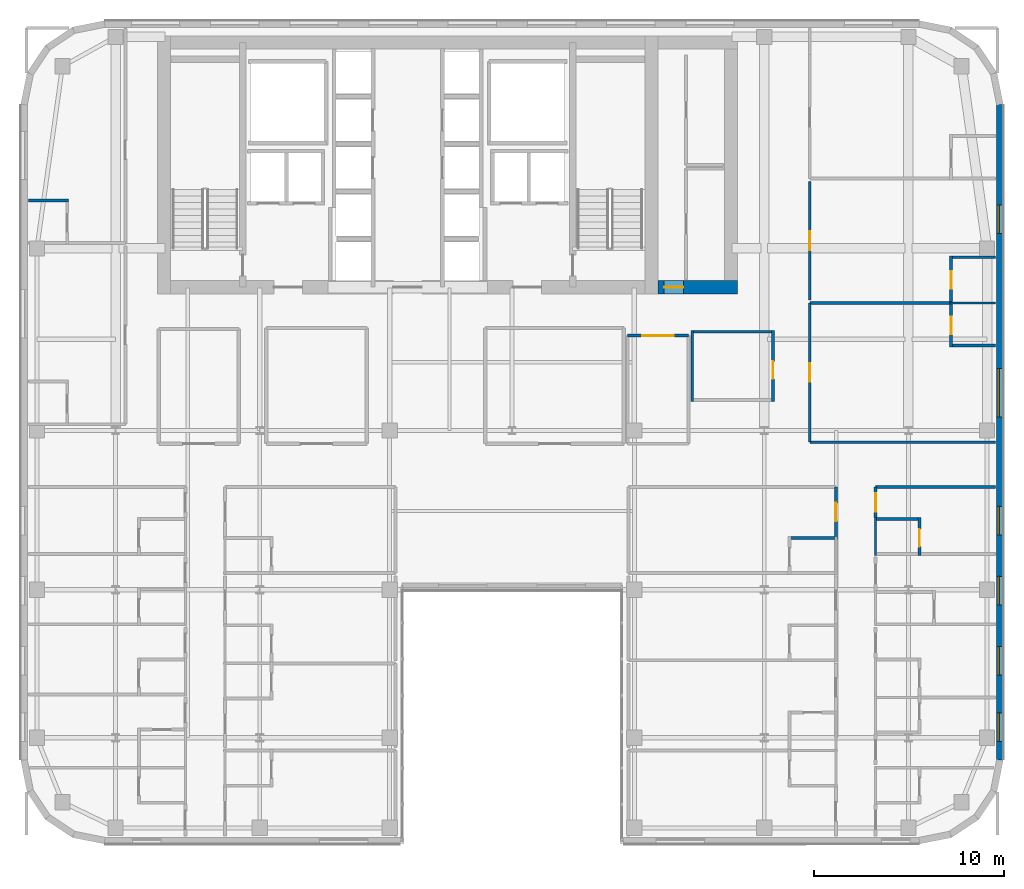
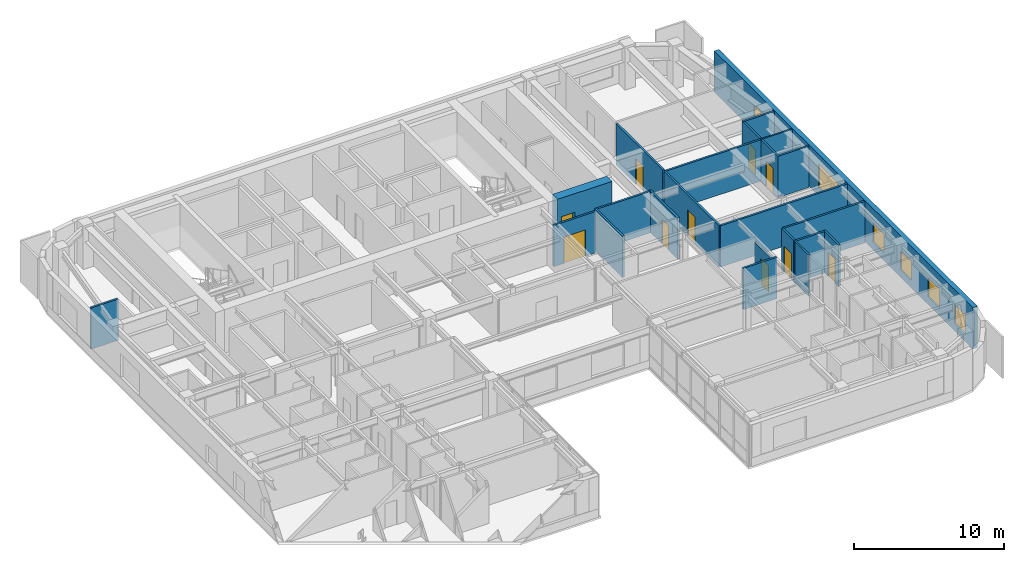
# One storey, part 13 of 21: 23 walls, 10 doors, 6 windows, 16 openings.
"""IFC4 building model written with IfcOpenShell, lengths in metres."""

from ifc_helpers import new_model, si_unit, direction, frame, frame_2d, origin, place, context, subcontext, project, spatial, rectangle, extrude, source, transform, mapped, material, layer, layer_set, type_object, type_shapes, element, fill, save


model = new_model("IFC4")

# Units and contexts
model_context = context("Model", 3, precision=1e-05, world=origin(), true_north=direction((0.0, 1.0)))
body_context = subcontext(model_context, "Body", "Model", "MODEL_VIEW")
ifc_project = project(units=[si_unit("LENGTHUNIT", "METRE"), si_unit("AREAUNIT", "SQUARE_METRE"), si_unit("VOLUMEUNIT", "CUBIC_METRE"), si_unit("PLANEANGLEUNIT", "RADIAN"), si_unit("MASSUNIT", "GRAM", prefix="KILO")], contexts=[model_context])

# Site, building, storey
site_placement = place(None, origin())
site = spatial("IfcSite", under=ifc_project, at=site_placement, CompositionType="ELEMENT")
building_placement = place(site_placement, origin())
building = spatial("IfcBuilding", under=site, at=building_placement, Name="Tolvann Quenvar Hotel", CompositionType="ELEMENT")
storey_placement = place(building_placement, frame((0.0, 0.0, 161.25)))
storey = spatial("IfcBuildingStorey", under=building, at=storey_placement, Name="L42", CompositionType="ELEMENT", Elevation=161.25)

# Wall, opening, door
ifc_material_1 = material(Name="Concrete S65 (65 MPa)", Category="concrete")
ifc_layer_1 = layer(ifc_material_1, 0.699951171875)
ifc_layer_set_1 = layer_set([ifc_layer_1], Name="Concrete S65 (65 MPa)")
wall_type_1 = type_object("IfcWallType", Name="WALL_CORE_700", PredefinedType="SHEAR", material=ifc_layer_set_1)
wall_1_placement = place(storey_placement, frame((36.199951171875, 31.949951171875, 0.0), z_axis=(0.0, 0.0, 1.0), x_axis=(1.0, 0.0, 0.0)))
wall_1 = element("IfcWall", 1, at=wall_1_placement, inside=storey, type_object=wall_type_1, Name="Core East Annex Shear Wall ANN-S (L42)", PredefinedType="SHEAR", context=body_context, shape_type="SweptSolid", body=[
    extrude(rectangle(XDim=4.199951171875, YDim=0.699951171875, at=frame_2d((2.10009765625, 0.0))), origin(), (0.0, 0.0, 1.0), 3.550048828125),
])
opening_1_placement = place(wall_1_placement, frame((1.340087890625, 0.0, 0.0), z_axis=(0.0, 0.0, 1.0), x_axis=(-1.0, 0.0, 0.0)))
opening_1 = element("IfcOpeningElement", 2, at=opening_1_placement, cuts=wall_1, Name="Opening HD-01", PredefinedType="OPENING", context=body_context, shape_type="SweptSolid", body=[
    extrude(rectangle(XDim=1.02001953125, YDim=2.030029296875, at=frame_2d((0.510009765625, 1.01513671875))), frame((0.0, 0.35986328125, 0.0), z_axis=(0.0, -1.0, 0.0), x_axis=(1.0, 0.0, 0.0)), (0.0, 0.0, 1.0), 0.719970703125),
])
ifc_material_2 = material(Name="Pressed galvanised steel fire-rated door set", Category="steel")
door_type_1 = type_object("IfcDoorType", Name="DOOR_BOH_1020", OperationType="NOTDEFINED", PredefinedType="DOOR", material=ifc_material_2)
shared_shape_1 = source(origin(), body_context, "Body", "SweptSolid", [
    extrude(rectangle(XDim=1.02001953125, YDim=2.030029296875, at=frame_2d((0.510009765625, 1.01513671875))), frame((0.0, 0.02490234375, 0.0), z_axis=(0.0, -1.0, 0.0), x_axis=(1.0, 0.0, 0.0)), (0.0, 0.0, 1.0), 0.050048828125),
])
type_shapes(door_type_1, [shared_shape_1])
door_1_placement = place(opening_1_placement, origin())
door_1 = element("IfcDoor", 3, at=door_1_placement, inside=storey, type_object=door_type_1, Name="Housekeeping Annex Fire Door (L42)", OperationType="SINGLE_SWING_RIGHT", OverallHeight=2.030029296875, OverallWidth=1.02001953125, PredefinedType="DOOR", context=body_context, shape_type="MappedRepresentation", body=[
    mapped(shared_shape_1, transform((0.0, 0.0, 0.0), x_axis=(1.0, 0.0, 0.0), y_axis=(0.0, 1.0, 0.0), z_axis=(0.0, 0.0, 1.0), scale=1.0)),
])
fill(opening_1, door_1)

# Wall, openings, windows
ifc_material_3 = material(Name="Kiln-fired red and buff architectural clay brickwork and terracotta masonry", Category="masonry")
ifc_layer_2 = layer(ifc_material_3, 0.35009765625)
ifc_layer_set_2 = layer_set([ifc_layer_2], Name="Kiln-fired red and buff architectural clay brickwork and terracotta masonry")
wall_type_2 = type_object("IfcWallType", Name="WALL_EXT_BRICK_350", PredefinedType="SOLIDWALL", material=ifc_layer_set_2)
wall_2_placement = place(storey_placement, frame((54.22509765625, 7.01708984375, 0.0), z_axis=(0.0, 0.0, 1.0), x_axis=(0.0, 1.0, 0.0)))
wall_2 = element("IfcWall", 4, at=wall_2_placement, inside=storey, type_object=wall_type_2, Name="Exterior Chicago Brick Wall L42-E13", PredefinedType="SOLIDWALL", context=body_context, shape_type="SweptSolid", body=[
    extrude(rectangle(XDim=34.565673828125, YDim=0.35009765625, at=frame_2d((17.28271484375, 0.0))), origin(), (0.0, 0.0, 1.0), 3.3701171875),
])
opening_2_placement = place(wall_2_placement, frame((18.093017578125, 0.0, 0.679931640625)))
opening_2 = element("IfcOpeningElement", 5, at=opening_2_placement, cuts=wall_2, Name="Opening W-09", PredefinedType="OPENING", context=body_context, shape_type="SweptSolid", body=[
    extrude(rectangle(XDim=2.550048828125, YDim=1.919921875, at=frame_2d((1.27490234375, 0.9599609375))), frame((0.0, 0.18505859375, 0.0), z_axis=(0.0, -1.0, 0.0), x_axis=(1.0, 0.0, 0.0)), (0.0, 0.0, 1.0), 0.3701171875),
])
opening_3_placement = place(wall_2_placement, frame((0.986083984375, 0.0, 0.6201171875)))
opening_3 = element("IfcOpeningElement", 6, at=opening_3_placement, cuts=wall_2, Name="Opening W-08", PredefinedType="OPENING", context=body_context, shape_type="SweptSolid", body=[
    extrude(rectangle(XDim=1.5, YDim=1.550048828125, at=frame_2d((0.75, 0.77490234375))), frame((0.0, 0.18505859375, 0.0), z_axis=(0.0, -1.0, 0.0), x_axis=(1.0, 0.0, 0.0)), (0.0, 0.0, 1.0), 0.3701171875),
])
opening_4_placement = place(wall_2_placement, frame((4.48291015625, 0.0, 0.6201171875)))
opening_4 = element("IfcOpeningElement", 7, at=opening_4_placement, cuts=wall_2, Name="Opening W-08", PredefinedType="OPENING", context=body_context, shape_type="SweptSolid", body=[
    extrude(rectangle(XDim=1.5, YDim=1.550048828125, at=frame_2d((0.75, 0.77490234375))), frame((0.0, 0.18505859375, 0.0), z_axis=(0.0, -1.0, 0.0), x_axis=(1.0, 0.0, 0.0)), (0.0, 0.0, 1.0), 0.3701171875),
])
opening_5_placement = place(wall_2_placement, frame((8.18310546875, 0.0, 0.6201171875)))
opening_5 = element("IfcOpeningElement", 8, at=opening_5_placement, cuts=wall_2, Name="Opening W-08", PredefinedType="OPENING", context=body_context, shape_type="SweptSolid", body=[
    extrude(rectangle(XDim=1.5, YDim=1.550048828125, at=frame_2d((0.75, 0.77490234375))), frame((0.0, 0.18505859375, 0.0), z_axis=(0.0, -1.0, 0.0), x_axis=(1.0, 0.0, 0.0)), (0.0, 0.0, 1.0), 0.3701171875),
])
opening_6_placement = place(wall_2_placement, frame((11.883056640625, 0.0, 0.6201171875)))
opening_6 = element("IfcOpeningElement", 9, at=opening_6_placement, cuts=wall_2, Name="Opening W-08", PredefinedType="OPENING", context=body_context, shape_type="SweptSolid", body=[
    extrude(rectangle(XDim=1.5, YDim=1.550048828125, at=frame_2d((0.75, 0.77490234375))), frame((0.0, 0.18505859375, 0.0), z_axis=(0.0, -1.0, 0.0), x_axis=(1.0, 0.0, 0.0)), (0.0, 0.0, 1.0), 0.3701171875),
])
opening_7_placement = place(wall_2_placement, frame((27.76806640625, 0.0, 0.6201171875)))
opening_7 = element("IfcOpeningElement", 10, at=opening_7_placement, cuts=wall_2, Name="Opening W-08", PredefinedType="OPENING", context=body_context, shape_type="SweptSolid", body=[
    extrude(rectangle(XDim=1.5, YDim=1.550048828125, at=frame_2d((0.75, 0.77490234375))), frame((0.0, 0.18505859375, 0.0), z_axis=(0.0, -1.0, 0.0), x_axis=(1.0, 0.0, 0.0)), (0.0, 0.0, 1.0), 0.3701171875),
])
ifc_material_4 = material(Name="Thermally broken bronze-anodised aluminium frame with double low-E glazing", Category="aluminium")
window_type_1 = type_object("IfcWindowType", Name="WIN_COR_1500x2050", PartitioningType="SINGLE_PANEL", PredefinedType="WINDOW", material=ifc_material_4)
shared_shape_2 = source(origin(), body_context, "Body", "SweptSolid", [
    extrude(rectangle(XDim=1.5, YDim=1.550048828125, at=frame_2d((0.75, 0.77490234375))), frame((0.0, 0.090087890625, 0.0), z_axis=(0.0, -1.0, 0.0), x_axis=(1.0, 0.0, 0.0)), (0.0, 0.0, 1.0), 0.06005859375),
])
type_shapes(window_type_1, [shared_shape_2])
window_1_placement = place(opening_3_placement, origin())
window_1 = element("IfcWindow", 11, at=window_1_placement, inside=storey, type_object=window_type_1, Name="Chicago Window W-08 (EW-L42-E13-WD02)", OverallHeight=1.550048828125, OverallWidth=1.5, PartitioningType="SINGLE_PANEL", PredefinedType="WINDOW", context=body_context, shape_type="MappedRepresentation", body=[
    mapped(shared_shape_2, transform((0.0, 0.0, 0.0), x_axis=(1.0, 0.0, 0.0), y_axis=(0.0, 1.0, 0.0), z_axis=(0.0, 0.0, 1.0), scale=1.0)),
])
fill(opening_3, window_1)
window_2_placement = place(opening_4_placement, origin())
window_2 = element("IfcWindow", 12, at=window_2_placement, inside=storey, type_object=window_type_1, Name="Chicago Window W-08 (EW-L42-E13-WD03)", OverallHeight=1.550048828125, OverallWidth=1.5, PartitioningType="SINGLE_PANEL", PredefinedType="WINDOW", context=body_context, shape_type="MappedRepresentation", body=[
    mapped(shared_shape_2, transform((0.0, 0.0, 0.0), x_axis=(1.0, 0.0, 0.0), y_axis=(0.0, 1.0, 0.0), z_axis=(0.0, 0.0, 1.0), scale=1.0)),
])
fill(opening_4, window_2)
window_3_placement = place(opening_5_placement, origin())
window_3 = element("IfcWindow", 13, at=window_3_placement, inside=storey, type_object=window_type_1, Name="Chicago Window W-08 (EW-L42-E13-WD04)", OverallHeight=1.550048828125, OverallWidth=1.5, PartitioningType="SINGLE_PANEL", PredefinedType="WINDOW", context=body_context, shape_type="MappedRepresentation", body=[
    mapped(shared_shape_2, transform((0.0, 0.0, 0.0), x_axis=(1.0, 0.0, 0.0), y_axis=(0.0, 1.0, 0.0), z_axis=(0.0, 0.0, 1.0), scale=1.0)),
])
fill(opening_5, window_3)
window_4_placement = place(opening_6_placement, origin())
window_4 = element("IfcWindow", 14, at=window_4_placement, inside=storey, type_object=window_type_1, Name="Chicago Window W-08 (EW-L42-E13-WD05)", OverallHeight=1.550048828125, OverallWidth=1.5, PartitioningType="SINGLE_PANEL", PredefinedType="WINDOW", context=body_context, shape_type="MappedRepresentation", body=[
    mapped(shared_shape_2, transform((0.0, 0.0, 0.0), x_axis=(1.0, 0.0, 0.0), y_axis=(0.0, 1.0, 0.0), z_axis=(0.0, 0.0, 1.0), scale=1.0)),
])
fill(opening_6, window_4)
window_5_placement = place(opening_7_placement, origin())
window_5 = element("IfcWindow", 15, at=window_5_placement, inside=storey, type_object=window_type_1, Name="Chicago Window W-08 (EW-L42-E13-WD06)", OverallHeight=1.550048828125, OverallWidth=1.5, PartitioningType="SINGLE_PANEL", PredefinedType="WINDOW", context=body_context, shape_type="MappedRepresentation", body=[
    mapped(shared_shape_2, transform((0.0, 0.0, 0.0), x_axis=(1.0, 0.0, 0.0), y_axis=(0.0, 1.0, 0.0), z_axis=(0.0, 0.0, 1.0), scale=1.0)),
])
fill(opening_7, window_5)
window_type_2 = type_object("IfcWindowType", Name="WIN_LNG_2550x1950", PartitioningType="TRIPLE_PANEL_HORIZONTAL", PredefinedType="WINDOW", material=ifc_material_4)
shared_shape_3 = source(origin(), body_context, "Body", "SweptSolid", [
    extrude(rectangle(XDim=2.550048828125, YDim=1.919921875, at=frame_2d((1.27490234375, 0.9599609375))), frame((0.0, 0.090087890625, 0.0), z_axis=(0.0, -1.0, 0.0), x_axis=(1.0, 0.0, 0.0)), (0.0, 0.0, 1.0), 0.06005859375),
])
type_shapes(window_type_2, [shared_shape_3])
window_6_placement = place(opening_2_placement, origin())
window_6 = element("IfcWindow", 16, at=window_6_placement, inside=storey, type_object=window_type_2, Name="Chicago Window W-09 (EW-L42-E13-W01)", OverallHeight=1.919921875, OverallWidth=2.550048828125, PartitioningType="TRIPLE_PANEL_HORIZONTAL", PredefinedType="WINDOW", context=body_context, shape_type="MappedRepresentation", body=[
    mapped(shared_shape_3, transform((0.0, 0.0, 0.0), x_axis=(1.0, 0.0, 0.0), y_axis=(0.0, 1.0, 0.0), z_axis=(0.0, 0.0, 1.0), scale=1.0)),
])
fill(opening_2, window_6)

# Walls
ifc_material_5 = material(Name="Moisture-resistant acoustic plumbing wall assembly")
ifc_layer_3 = layer(ifc_material_5, 0.1201171875)
ifc_layer_set_3 = layer_set([ifc_layer_3], Name="Moisture-resistant acoustic plumbing wall assembly")
wall_type_3 = type_object("IfcWallType", Name="WALL_PART_BATH_120", PredefinedType="PLUMBINGWALL", material=ifc_layer_set_3)
wall_3_placement = place(storey_placement, frame((47.669921875, 17.81005859375, 0.0), z_axis=(0.0, 0.0, 1.0), x_axis=(0.0, 1.0, 0.0)))
element("IfcWall", 17, at=wall_3_placement, inside=storey, type_object=wall_type_3, Name="Non-Rated Plumbing Partition PT-SPC-L42-ENS-EO05-W", PredefinedType="PLUMBINGWALL", context=body_context, shape_type="SweptSolid", body=[
    extrude(rectangle(XDim=1.989990234375, YDim=0.1201171875, at=frame_2d((0.9951171875, 0.0))), origin(), (0.0, 0.0, 1.0), 3.3701171875),
])
wall_4_placement = place(storey_placement, frame((51.580078125, 31.1201171875, 0.0), z_axis=(0.0, 0.0, 1.0), x_axis=(1.0, 0.0, 0.0)))
element("IfcWall", 18, at=wall_4_placement, inside=storey, type_object=wall_type_3, Name="Non-Rated Plumbing Partition PT-SPC-L42-ENS-NE01-N", PredefinedType="PLUMBINGWALL", context=body_context, shape_type="SweptSolid", body=[
    extrude(rectangle(XDim=2.4150390625, YDim=0.1201171875, at=frame_2d((1.20751953125, 0.0))), origin(), (0.0, 0.0, 1.0), 3.3701171875),
])
ifc_material_6 = material(Name="Acoustic twin-stud fire-rated gypsum plasterboard partition")
ifc_layer_4 = layer(ifc_material_6, 0.14990234375)
ifc_layer_set_4 = layer_set([ifc_layer_4], Name="Acoustic twin-stud fire-rated gypsum plasterboard partition")
wall_type_4 = type_object("IfcWallType", Name="WALL_PART_SUITE_150", PredefinedType="PARTITIONING", material=ifc_layer_set_4)
wall_5_placement = place(storey_placement, frame((43.06005859375, 18.72998046875, 0.0), z_axis=(0.0, 0.0, 1.0), x_axis=(1.0, 0.0, 0.0)))
element("IfcWall", 19, at=wall_5_placement, inside=storey, type_object=wall_type_4, Name="Interior Partition PT-SPC-L42-ENS-EI04-N", PredefinedType="PARTITIONING", context=body_context, shape_type="SweptSolid", body=[
    extrude(rectangle(XDim=2.58984375, YDim=0.14990234375, at=frame_2d((1.294921875, 0.0))), origin(), (0.0, 0.0, 1.0), 3.3701171875),
])

# Wall, opening, door
wall_6_placement = place(storey_placement, frame((49.985107421875, 17.81005859375, 0.0), z_axis=(0.0, 0.0, 1.0), x_axis=(0.0, 1.0, 0.0)))
wall_6 = element("IfcWall", 20, at=wall_6_placement, inside=storey, type_object=wall_type_4, Name="Interior Partition PT-SPC-L42-ENS-EO05-ENT", PredefinedType="PARTITIONING", context=body_context, shape_type="SweptSolid", body=[
    extrude(rectangle(XDim=1.989990234375, YDim=0.14990234375, at=frame_2d((0.9951171875, 0.0))), origin(), (0.0, 0.0, 1.0), 3.3701171875),
])
opening_8_placement = place(wall_6_placement, frame((0.465087890625, 0.0, 0.0)))
opening_8 = element("IfcOpeningElement", 21, at=opening_8_placement, cuts=wall_6, Name="Opening WD-01", PredefinedType="OPENING", context=body_context, shape_type="SweptSolid", body=[
    extrude(rectangle(XDim=0.919921875, YDim=2.010009765625, at=frame_2d((0.4599609375, 1.0048828125))), frame((0.0, 0.0849609375, 0.0), z_axis=(0.0, -1.0, 0.0), x_axis=(1.0, 0.0, 0.0)), (0.0, 0.0, 1.0), 0.169921875),
])
ifc_material_7 = material(Name="Solid-core American oak acoustic fire door leaf in steel frame", Category="steel")
door_type_2 = type_object("IfcDoorType", Name="DOOR_WC_920", OperationType="NOTDEFINED", PredefinedType="DOOR", material=ifc_material_7)
shared_shape_4 = source(origin(), body_context, "Body", "SweptSolid", [
    extrude(rectangle(XDim=0.919921875, YDim=2.010009765625, at=frame_2d((0.4599609375, 1.0048828125))), frame((0.0, 0.02490234375, 0.0), z_axis=(0.0, -1.0, 0.0), x_axis=(1.0, 0.0, 0.0)), (0.0, 0.0, 1.0), 0.050048828125),
])
type_shapes(door_type_2, [shared_shape_4])
door_2_placement = place(opening_8_placement, origin())
door_2 = element("IfcDoor", 22, at=door_2_placement, inside=storey, type_object=door_type_2, Name="Interior Door DOOR-SPC-L42-ENS-EO05", OperationType="SINGLE_SWING_LEFT", OverallHeight=2.010009765625, OverallWidth=0.919921875, PredefinedType="DOOR", context=body_context, shape_type="MappedRepresentation", body=[
    mapped(shared_shape_4, transform((0.0, 0.0, 0.0), x_axis=(1.0, 0.0, 0.0), y_axis=(0.0, 1.0, 0.0), z_axis=(0.0, 0.0, 1.0), scale=1.0)),
])
fill(opening_8, door_2)

# Walls
wall_7_placement = place(storey_placement, frame((47.60009765625, 19.72998046875, 0.0), z_axis=(0.0, 0.0, 1.0), x_axis=(1.0, 0.0, 0.0)))
element("IfcWall", 23, at=wall_7_placement, inside=storey, type_object=wall_type_4, Name="Interior Partition PT-SPC-L42-ENS-EO05-N", PredefinedType="PARTITIONING", context=body_context, shape_type="SweptSolid", body=[
    extrude(rectangle(XDim=2.454833984375, YDim=0.14990234375, at=frame_2d((1.2275390625, 0.0))), origin(), (0.0, 0.0, 1.0), 3.3701171875),
])
wall_8_placement = place(storey_placement, frame((3.0048828125, 36.530029296875, 0.0), z_axis=(0.0, 0.0, 1.0), x_axis=(1.0, 0.0, 0.0)))
element("IfcWall", 24, at=wall_8_placement, inside=storey, type_object=wall_type_4, Name="Interior Partition PT-SPC-L42-ENS-NW02-N", PredefinedType="PARTITIONING", context=body_context, shape_type="SweptSolid", body=[
    extrude(rectangle(XDim=2.115234375, YDim=0.14990234375, at=frame_2d((1.0576171875, 0.0))), origin(), (0.0, 0.0, 1.0), 3.3701171875),
])

# Wall, opening, door
wall_9_placement = place(storey_placement, frame((51.64990234375, 28.800048828125, 0.0), z_axis=(0.0, 0.0, 1.0), x_axis=(0.0, 1.0, 0.0)))
wall_9 = element("IfcWall", 25, at=wall_9_placement, inside=storey, type_object=wall_type_4, Name="Interior Partition PT-SPC-L42-ENS-NE01-ENT", PredefinedType="PARTITIONING", context=body_context, shape_type="SweptSolid", body=[
    extrude(rectangle(XDim=2.389892578125, YDim=0.14990234375, at=frame_2d((1.19482421875, 0.0))), origin(), (0.0, 0.0, 1.0), 3.3701171875),
])
opening_9_placement = place(wall_9_placement, frame((0.6650390625, 0.0, 0.0)))
opening_9 = element("IfcOpeningElement", 26, at=opening_9_placement, cuts=wall_9, Name="Opening WD-01", PredefinedType="OPENING", context=body_context, shape_type="SweptSolid", body=[
    extrude(rectangle(XDim=0.919921875, YDim=2.010009765625, at=frame_2d((0.4599609375, 1.0048828125))), frame((0.0, 0.0849609375, 0.0), z_axis=(0.0, -1.0, 0.0), x_axis=(1.0, 0.0, 0.0)), (0.0, 0.0, 1.0), 0.169921875),
])
door_3_placement = place(opening_9_placement, origin())
door_3 = element("IfcDoor", 27, at=door_3_placement, inside=storey, type_object=door_type_2, Name="Interior Door DOOR-SPC-L42-ENS-NE01", OperationType="SINGLE_SWING_RIGHT", OverallHeight=2.010009765625, OverallWidth=0.919921875, PredefinedType="DOOR", context=body_context, shape_type="MappedRepresentation", body=[
    mapped(shared_shape_4, transform((0.0, 0.0, 0.0), x_axis=(1.0, 0.0, 0.0), y_axis=(0.0, 1.0, 0.0), z_axis=(0.0, 0.0, 1.0), scale=1.0)),
])
fill(opening_9, door_3)

# Wall
wall_10_placement = place(storey_placement, frame((51.580078125, 28.8701171875, 0.0), z_axis=(0.0, 0.0, 1.0), x_axis=(1.0, 0.0, 0.0)))
element("IfcWall", 28, at=wall_10_placement, inside=storey, type_object=wall_type_4, Name="Interior Partition PT-SPC-L42-ENS-NE01-S", PredefinedType="PARTITIONING", context=body_context, shape_type="SweptSolid", body=[
    extrude(rectangle(XDim=2.4150390625, YDim=0.14990234375, at=frame_2d((1.20751953125, 0.0))), origin(), (0.0, 0.0, 1.0), 3.3701171875),
])

# Wall, opening, door
wall_11_placement = place(storey_placement, frame((51.64990234375, 31.2099609375, 0.0), z_axis=(0.0, 0.0, 1.0), x_axis=(0.0, 1.0, 0.0)))
wall_11 = element("IfcWall", 29, at=wall_11_placement, inside=storey, type_object=wall_type_4, Name="Interior Partition PT-SPC-L42-ENS-NE02-ENT", PredefinedType="PARTITIONING", context=body_context, shape_type="SweptSolid", body=[
    extrude(rectangle(XDim=2.39013671875, YDim=0.14990234375, at=frame_2d((1.195068359375, 0.0))), origin(), (0.0, 0.0, 1.0), 3.3701171875),
])
opening_10_placement = place(wall_11_placement, frame((0.6650390625, 0.0, 0.0)))
opening_10 = element("IfcOpeningElement", 30, at=opening_10_placement, cuts=wall_11, Name="Opening WD-01", PredefinedType="OPENING", context=body_context, shape_type="SweptSolid", body=[
    extrude(rectangle(XDim=0.919921875, YDim=2.010009765625, at=frame_2d((0.4599609375, 1.0048828125))), frame((0.0, 0.0849609375, 0.0), z_axis=(0.0, -1.0, 0.0), x_axis=(1.0, 0.0, 0.0)), (0.0, 0.0, 1.0), 0.169921875),
])
door_4_placement = place(opening_10_placement, origin())
door_4 = element("IfcDoor", 31, at=door_4_placement, inside=storey, type_object=door_type_2, Name="Interior Door DOOR-SPC-L42-ENS-NE02", OperationType="SINGLE_SWING_LEFT", OverallHeight=2.010009765625, OverallWidth=0.919921875, PredefinedType="DOOR", context=body_context, shape_type="MappedRepresentation", body=[
    mapped(shared_shape_4, transform((0.0, 0.0, 0.0), x_axis=(1.0, 0.0, 0.0), y_axis=(0.0, 1.0, 0.0), z_axis=(0.0, 0.0, 1.0), scale=1.0)),
])
fill(opening_10, door_4)

# Wall
wall_12_placement = place(storey_placement, frame((51.580078125, 33.530029296875, 0.0), z_axis=(0.0, 0.0, 1.0), x_axis=(1.0, 0.0, 0.0)))
element("IfcWall", 32, at=wall_12_placement, inside=storey, type_object=wall_type_4, Name="Interior Partition PT-SPC-L42-ENS-NE02-N", PredefinedType="PARTITIONING", context=body_context, shape_type="SweptSolid", body=[
    extrude(rectangle(XDim=2.4150390625, YDim=0.14990234375, at=frame_2d((1.20751953125, 0.0))), origin(), (0.0, 0.0, 1.0), 3.3701171875),
])

# Wall, opening, door
wall_13_placement = place(storey_placement, frame((45.580078125, 18.81005859375, 0.0), z_axis=(0.0, 0.0, 1.0), x_axis=(0.0, 1.0, 0.0)))
wall_13 = element("IfcWall", 33, at=wall_13_placement, inside=storey, type_object=wall_type_4, Name="Interior Partition PT-SPC-L42-RM-EI04-ENT", PredefinedType="PARTITIONING", context=body_context, shape_type="SweptSolid", body=[
    extrude(rectangle(XDim=2.60986328125, YDim=0.14990234375, at=frame_2d((1.304931640625, 0.0))), origin(), (0.0, 0.0, 1.0), 3.0009765625),
])
opening_11_placement = place(wall_13_placement, frame((0.794921875, 0.0, 0.0)))
opening_11 = element("IfcOpeningElement", 34, at=opening_11_placement, cuts=wall_13, Name="Opening SD-01", PredefinedType="OPENING", context=body_context, shape_type="SweptSolid", body=[
    extrude(rectangle(XDim=0.97998046875, YDim=2.1201171875, at=frame_2d((0.489990234375, 1.06005859375))), frame((0.0, 0.0849609375, 0.0), z_axis=(0.0, -1.0, 0.0), x_axis=(1.0, 0.0, 0.0)), (0.0, 0.0, 1.0), 0.169921875),
])
door_type_3 = type_object("IfcDoorType", Name="DOOR_SUITE_980", OperationType="NOTDEFINED", PredefinedType="DOOR", material=ifc_material_7)
shared_shape_5 = source(origin(), body_context, "Body", "SweptSolid", [
    extrude(rectangle(XDim=0.97998046875, YDim=2.1201171875, at=frame_2d((0.489990234375, 1.06005859375))), frame((0.0, 0.02490234375, 0.0), z_axis=(0.0, -1.0, 0.0), x_axis=(1.0, 0.0, 0.0)), (0.0, 0.0, 1.0), 0.050048828125),
])
type_shapes(door_type_3, [shared_shape_5])
door_5_placement = place(opening_11_placement, origin())
door_5 = element("IfcDoor", 35, at=door_5_placement, inside=storey, type_object=door_type_3, Name="Interior Door DOOR-SPC-L42-RM-EI04", OperationType="SINGLE_SWING_LEFT", OverallHeight=2.1201171875, OverallWidth=0.97998046875, PredefinedType="DOOR", context=body_context, shape_type="MappedRepresentation", body=[
    mapped(shared_shape_5, transform((0.0, 0.0, 0.0), x_axis=(1.0, 0.0, 0.0), y_axis=(0.0, 1.0, 0.0), z_axis=(0.0, 0.0, 1.0), scale=1.0)),
])
fill(opening_11, door_5)

wall_14_placement = place(storey_placement, frame((47.669921875, 19.81005859375, 0.0), z_axis=(0.0, 0.0, 1.0), x_axis=(0.0, 1.0, 0.0)))
wall_14 = element("IfcWall", 36, at=wall_14_placement, inside=storey, type_object=wall_type_4, Name="Interior Partition PT-SPC-L42-RM-EO05-ENT", PredefinedType="PARTITIONING", context=body_context, shape_type="SweptSolid", body=[
    extrude(rectangle(XDim=1.60986328125, YDim=0.14990234375, at=frame_2d((0.804931640625, 0.0))), origin(), (0.0, 0.0, 1.0), 3.3701171875),
])
opening_12_placement = place(wall_14_placement, frame((0.294921875, 0.0, 0.0)))
opening_12 = element("IfcOpeningElement", 37, at=opening_12_placement, cuts=wall_14, Name="Opening SD-01", PredefinedType="OPENING", context=body_context, shape_type="SweptSolid", body=[
    extrude(rectangle(XDim=0.97998046875, YDim=2.1201171875, at=frame_2d((0.489990234375, 1.06005859375))), frame((0.0, 0.0849609375, 0.0), z_axis=(0.0, -1.0, 0.0), x_axis=(1.0, 0.0, 0.0)), (0.0, 0.0, 1.0), 0.169921875),
])
door_6_placement = place(opening_12_placement, origin())
door_6 = element("IfcDoor", 38, at=door_6_placement, inside=storey, type_object=door_type_3, Name="Interior Door DOOR-SPC-L42-RM-EO05", OperationType="SINGLE_SWING_RIGHT", OverallHeight=2.1201171875, OverallWidth=0.97998046875, PredefinedType="DOOR", context=body_context, shape_type="MappedRepresentation", body=[
    mapped(shared_shape_5, transform((0.0, 0.0, 0.0), x_axis=(1.0, 0.0, 0.0), y_axis=(0.0, 1.0, 0.0), z_axis=(0.0, 0.0, 1.0), scale=1.0)),
])
fill(opening_12, door_6)

# Wall
wall_15_placement = place(storey_placement, frame((47.669921875, 21.419921875, 0.0), z_axis=(0.0, 0.0, 1.0), x_axis=(1.0, 0.0, 0.0)))
element("IfcWall", 39, at=wall_15_placement, inside=storey, type_object=wall_type_4, Name="Interior Partition PT-SPC-L42-RM-EO05-E5", PredefinedType="PARTITIONING", context=body_context, shape_type="SweptSolid", body=[
    extrude(rectangle(XDim=6.3251953125, YDim=0.14990234375, at=frame_2d((3.16259765625, 0.0))), origin(), (0.0, 0.0, 1.0), 3.3701171875),
])

# Wall, opening, door
wall_16_placement = place(storey_placement, frame((44.199951171875, 23.780029296875, 0.0), z_axis=(0.0, 0.0, 1.0), x_axis=(0.0, 1.0, 0.0)))
wall_16 = element("IfcWall", 40, at=wall_16_placement, inside=storey, type_object=wall_type_4, Name="Interior Partition PT-SPC-L42-RM-NE01-ENT", PredefinedType="PARTITIONING", context=body_context, shape_type="SweptSolid", body=[
    extrude(rectangle(XDim=7.340087890625, YDim=0.14990234375, at=frame_2d((3.669921875, 0.0))), origin(), (0.0, 0.0, 1.0), 3.3701171875),
])
opening_13_placement = place(wall_16_placement, frame((3.179931640625, 0.0, 0.0)))
opening_13 = element("IfcOpeningElement", 41, at=opening_13_placement, cuts=wall_16, Name="Opening SD-01", PredefinedType="OPENING", context=body_context, shape_type="SweptSolid", body=[
    extrude(rectangle(XDim=0.97998046875, YDim=2.1201171875, at=frame_2d((0.489990234375, 1.06005859375))), frame((0.0, 0.0849609375, 0.0), z_axis=(0.0, -1.0, 0.0), x_axis=(1.0, 0.0, 0.0)), (0.0, 0.0, 1.0), 0.169921875),
])
door_7_placement = place(opening_13_placement, origin())
door_7 = element("IfcDoor", 42, at=door_7_placement, inside=storey, type_object=door_type_3, Name="Interior Door DOOR-SPC-L42-RM-NE01", OperationType="SINGLE_SWING_LEFT", OverallHeight=2.1201171875, OverallWidth=0.97998046875, PredefinedType="DOOR", context=body_context, shape_type="MappedRepresentation", body=[
    mapped(shared_shape_5, transform((0.0, 0.0, 0.0), x_axis=(1.0, 0.0, 0.0), y_axis=(0.0, 1.0, 0.0), z_axis=(0.0, 0.0, 1.0), scale=1.0)),
])
fill(opening_13, door_7)

# Walls
wall_17_placement = place(storey_placement, frame((44.199951171875, 23.780029296875, 0.0), z_axis=(0.0, 0.0, 1.0), x_axis=(1.0, 0.0, 0.0)))
element("IfcWall", 43, at=wall_17_placement, inside=storey, type_object=wall_type_4, Name="Interior Partition PT-SPC-L42-RM-NE01-E1", PredefinedType="PARTITIONING", context=body_context, shape_type="SweptSolid", body=[
    extrude(rectangle(XDim=9.795166015625, YDim=0.14990234375, at=frame_2d((4.8974609375, 0.0))), origin(), (0.0, 0.0, 1.0), 3.3701171875),
])
wall_18_placement = place(storey_placement, frame((44.199951171875, 31.1201171875, 0.0), z_axis=(0.0, 0.0, 1.0), x_axis=(1.0, 0.0, 0.0)))
element("IfcWall", 44, at=wall_18_placement, inside=storey, type_object=wall_type_4, Name="Interior Partition PT-SPC-L42-RM-NE01-E5", PredefinedType="PARTITIONING", context=body_context, shape_type="SweptSolid", body=[
    extrude(rectangle(XDim=7.429931640625, YDim=0.14990234375, at=frame_2d((3.71484375, 0.0))), origin(), (0.0, 0.0, 1.0), 3.3701171875),
])

# Wall, opening, door
wall_19_placement = place(storey_placement, frame((44.199951171875, 31.280029296875, 0.0), z_axis=(0.0, 0.0, 1.0), x_axis=(0.0, 1.0, 0.0)))
wall_19 = element("IfcWall", 45, at=wall_19_placement, inside=storey, type_object=wall_type_4, Name="Interior Partition PT-SPC-L42-RM-NE02-ENT", PredefinedType="PARTITIONING", context=body_context, shape_type="SweptSolid", body=[
    extrude(rectangle(XDim=6.239990234375, YDim=0.14990234375, at=frame_2d((3.1201171875, 0.0))), origin(), (0.0, 0.0, 1.0), 3.3701171875),
])
opening_14_placement = place(wall_19_placement, frame((2.6298828125, 0.0, 0.0)))
opening_14 = element("IfcOpeningElement", 46, at=opening_14_placement, cuts=wall_19, Name="Opening SD-01", PredefinedType="OPENING", context=body_context, shape_type="SweptSolid", body=[
    extrude(rectangle(XDim=0.97998046875, YDim=2.1201171875, at=frame_2d((0.489990234375, 1.06005859375))), frame((0.0, 0.0849609375, 0.0), z_axis=(0.0, -1.0, 0.0), x_axis=(1.0, 0.0, 0.0)), (0.0, 0.0, 1.0), 0.169921875),
])
door_8_placement = place(opening_14_placement, origin())
door_8 = element("IfcDoor", 47, at=door_8_placement, inside=storey, type_object=door_type_3, Name="Interior Door DOOR-SPC-L42-RM-NE02", OperationType="SINGLE_SWING_RIGHT", OverallHeight=2.1201171875, OverallWidth=0.97998046875, PredefinedType="DOOR", context=body_context, shape_type="MappedRepresentation", body=[
    mapped(shared_shape_5, transform((0.0, 0.0, 0.0), x_axis=(1.0, 0.0, 0.0), y_axis=(0.0, 1.0, 0.0), z_axis=(0.0, 0.0, 1.0), scale=1.0)),
])
fill(opening_14, door_8)

wall_20_placement = place(storey_placement, frame((42.260009765625, 25.929931640625, 0.0), z_axis=(0.0, 0.0, 1.0), x_axis=(0.0, 1.0, 0.0)))
wall_20 = element("IfcWall", 48, at=wall_20_placement, inside=storey, type_object=wall_type_4, Name="Interior Partition PT-SPC-L42-WCA-ENT", PredefinedType="PARTITIONING", context=body_context, shape_type="SweptSolid", body=[
    extrude(rectangle(XDim=3.739990234375, YDim=0.14990234375, at=frame_2d((1.8701171875, 0.0))), origin(), (0.0, 0.0, 1.0), 3.3701171875),
])
opening_15_placement = place(wall_20_placement, frame((1.18994140625, 0.0, 0.0)))
opening_15 = element("IfcOpeningElement", 49, at=opening_15_placement, cuts=wall_20, Name="Opening WD-01", PredefinedType="OPENING", context=body_context, shape_type="SweptSolid", body=[
    extrude(rectangle(XDim=0.919921875, YDim=2.010009765625, at=frame_2d((0.4599609375, 1.0048828125))), frame((0.0, 0.0849609375, 0.0), z_axis=(0.0, -1.0, 0.0), x_axis=(1.0, 0.0, 0.0)), (0.0, 0.0, 1.0), 0.169921875),
])
door_9_placement = place(opening_15_placement, origin())
door_9 = element("IfcDoor", 50, at=door_9_placement, inside=storey, type_object=door_type_2, Name="Interior Door DOOR-SPC-L42-WCA", OperationType="SINGLE_SWING_RIGHT", OverallHeight=2.010009765625, OverallWidth=0.919921875, PredefinedType="DOOR", context=body_context, shape_type="MappedRepresentation", body=[
    mapped(shared_shape_4, transform((0.0, 0.0, 0.0), x_axis=(1.0, 0.0, 0.0), y_axis=(0.0, 1.0, 0.0), z_axis=(0.0, 0.0, 1.0), scale=1.0)),
])
fill(opening_15, door_9)

# Walls
wall_21_placement = place(storey_placement, frame((37.929931640625, 29.60009765625, 0.0), z_axis=(0.0, 0.0, 1.0), x_axis=(1.0, 0.0, 0.0)))
element("IfcWall", 51, at=wall_21_placement, inside=storey, type_object=wall_type_4, Name="Interior Partition PT-SPC-L42-WCA-N", PredefinedType="PARTITIONING", context=body_context, shape_type="SweptSolid", body=[
    extrude(rectangle(XDim=4.400146484375, YDim=0.14990234375, at=frame_2d((2.2001953125, 0.0))), origin(), (0.0, 0.0, 1.0), 3.3701171875),
])
wall_22_placement = place(storey_placement, frame((38.0, 25.929931640625, 0.0), z_axis=(0.0, 0.0, 1.0), x_axis=(0.0, 1.0, 0.0)))
element("IfcWall", 52, at=wall_22_placement, inside=storey, type_object=wall_type_4, Name="Interior Partition PT-SPC-L42-WCA-W", PredefinedType="PARTITIONING", context=body_context, shape_type="SweptSolid", body=[
    extrude(rectangle(XDim=3.739990234375, YDim=0.14990234375, at=frame_2d((1.8701171875, 0.0))), origin(), (0.0, 0.0, 1.0), 3.3701171875),
])

# Wall, opening, door
wall_23_placement = place(storey_placement, frame((34.60009765625, 29.39990234375, 0.0), z_axis=(0.0, 0.0, 1.0), x_axis=(1.0, 0.0, 0.0)))
wall_23 = element("IfcWall", 53, at=wall_23_placement, inside=storey, type_object=wall_type_4, Name="Interior Partition PT-SPC-L42-MSP-E-N", PredefinedType="PARTITIONING", context=body_context, shape_type="SweptSolid", body=[
    extrude(rectangle(XDim=3.199951171875, YDim=0.14990234375, at=frame_2d((1.60009765625, 0.0))), origin(), (0.0, 0.0, 1.0), 3.3701171875),
])
opening_16_placement = place(wall_23_placement, frame((0.77490234375, 0.0, 0.0)))
opening_16 = element("IfcOpeningElement", 54, at=opening_16_placement, cuts=wall_23, Name="Opening AD-01", PredefinedType="OPENING", context=body_context, shape_type="SweptSolid", body=[
    extrude(rectangle(XDim=1.64990234375, YDim=2.14990234375, at=frame_2d((0.824951171875, 1.074951171875))), frame((0.0, 0.0849609375, 0.0), z_axis=(0.0, -1.0, 0.0), x_axis=(1.0, 0.0, 0.0)), (0.0, 0.0, 1.0), 0.169921875),
])
door_type_4 = type_object("IfcDoorType", Name="DOOR_SALON_1650", OperationType="NOTDEFINED", PredefinedType="DOOR", material=ifc_material_7)
shared_shape_6 = source(origin(), body_context, "Body", "SweptSolid", [
    extrude(rectangle(XDim=1.64990234375, YDim=2.14990234375, at=frame_2d((0.824951171875, 1.074951171875))), frame((0.0, 0.02490234375, 0.0), z_axis=(0.0, -1.0, 0.0), x_axis=(1.0, 0.0, 0.0)), (0.0, 0.0, 1.0), 0.050048828125),
])
type_shapes(door_type_4, [shared_shape_6])
door_10_placement = place(opening_16_placement, origin())
door_10 = element("IfcDoor", 55, at=door_10_placement, inside=storey, type_object=door_type_4, Name="Interior Door DOOR-SPC-L42-MSP-E", OperationType="DOUBLE_DOOR_SINGLE_SWING", OverallHeight=2.14990234375, OverallWidth=1.64990234375, PredefinedType="DOOR", context=body_context, shape_type="MappedRepresentation", body=[
    mapped(shared_shape_6, transform((0.0, 0.0, 0.0), x_axis=(1.0, 0.0, 0.0), y_axis=(0.0, 1.0, 0.0), z_axis=(0.0, 0.0, 1.0), scale=1.0)),
])
fill(opening_16, door_10)

save(model, "model.ifc")
